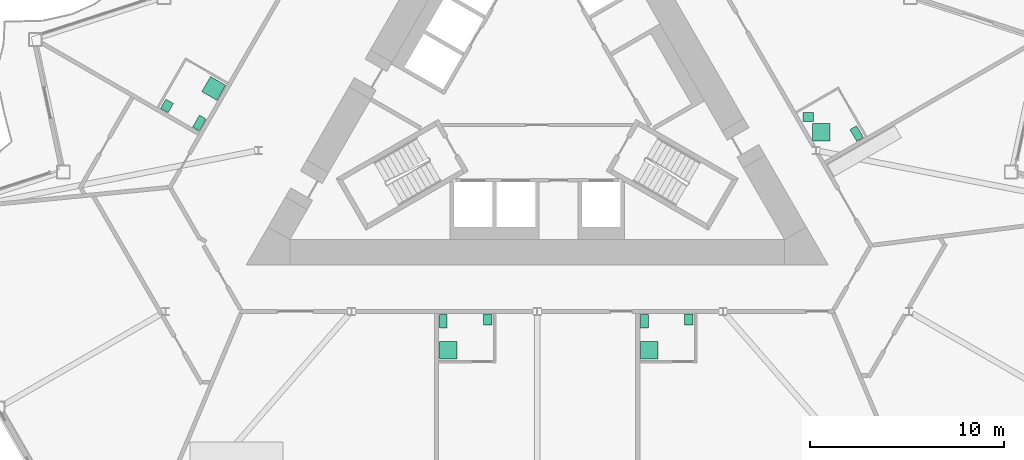
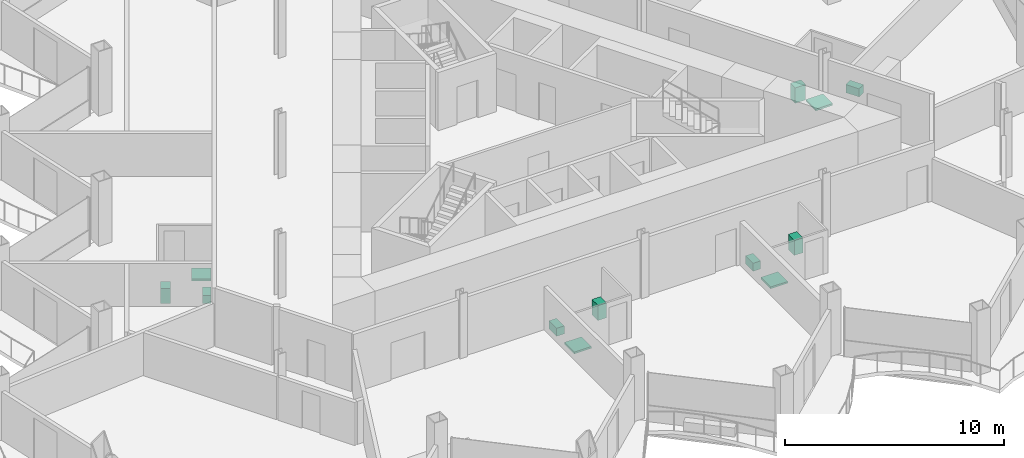
# One storey, part 22 of 23: 12 sanitary terminals.
"""IFC4 building model written with IfcOpenShell, lengths in metres."""

import ifcopenshell
import ifcopenshell.guid

model = None  # the IFC model being written
_history = None  # IfcOwnerHistory: only IFC2X3 demands one
_inside = {}  # id of a spatial element -> (the spatial element, [elements in it])
_under = {}  # id of a project, library or spatial element -> (it, [spatial elements below it])
_declared = {}  # id of a project -> (the project, [libraries it declares])
_typed = {}  # id of a type object -> (the type object, [elements of that type])
_made_of = {}  # id of a material, layer set ... -> (it, [elements and type objects made of it])


def new_model(schema):
    """Start an empty IFC model of exactly this schema.

    Asked for "IFC4X3", IfcOpenShell would pick the latest addendum, in which some entities
    have other attributes; the version numbers below select the first issue.
    IFC2X3 requires an IfcOwnerHistory on every rooted entity: one is made here for all.
    """
    global model, _history
    if schema == "IFC4X3":
        model = ifcopenshell.file(schema_version=(4, 3, 0, 0))
    else:
        model = ifcopenshell.file(schema=schema)
    _inside.clear()
    _under.clear()
    _declared.clear()
    _typed.clear()
    _made_of.clear()
    _history = None
    if model.schema == "IFC2X3":
        org = make("IfcOrganization", Name="unknown")
        user = make(
            "IfcPersonAndOrganization",
            ThePerson=make("IfcPerson", FamilyName="unknown"),
            TheOrganization=org,
        )
        app = make(
            "IfcApplication",
            ApplicationDeveloper=org,
            Version="unknown",
            ApplicationFullName="unknown",
            ApplicationIdentifier="unknown",
        )
        _history = make(
            "IfcOwnerHistory",
            OwningUser=user,
            OwningApplication=app,
            ChangeAction="ADDED",
            CreationDate=0,
        )
    return model


def make(cls, **values):
    """One entity of the class cls with the attributes given. An attribute that is None is left unset."""
    return model.create_entity(
        cls, **{name: value for name, value in values.items() if value is not None}
    )


def rooted(cls, **values):
    """An entity with a GlobalId (a new one), such as an element, a storey or a relation."""
    return make(cls, GlobalId=ifcopenshell.guid.new(), OwnerHistory=_history, **values)


def si_unit(unit_type, name, prefix=None):
    """IfcSIUnit, for example si_unit("LENGTHUNIT", "METRE", prefix="MILLI")."""
    return make("IfcSIUnit", UnitType=unit_type, Prefix=prefix, Name=name)


def assignment(units):
    """IfcUnitAssignment: the units of a project."""
    return None if units is None else make("IfcUnitAssignment", Units=units)


def point(xyz):
    """IfcCartesianPoint."""
    return None if xyz is None else make("IfcCartesianPoint", Coordinates=xyz)


def direction(xyz):
    """IfcDirection."""
    return None if xyz is None else make("IfcDirection", DirectionRatios=xyz)


def frame(location, z_axis=None, x_axis=None):
    """IfcAxis2Placement3D, a coordinate frame: its origin and axes. An axis left out is left unset."""
    return make(
        "IfcAxis2Placement3D",
        Location=point(location),
        Axis=direction(z_axis),
        RefDirection=direction(x_axis),
    )


def frame_2d(location, x_axis=None):
    """IfcAxis2Placement2D, a coordinate frame in the plane: its origin and x axis."""
    return make(
        "IfcAxis2Placement2D", Location=point(location), RefDirection=direction(x_axis)
    )


def origin():
    """The frame at (0, 0, 0) with its axes left unset."""
    return frame((0.0, 0.0, 0.0))


def origin_2d():
    """The frame at (0, 0) in the plane with its x axis left unset."""
    return frame_2d((0.0, 0.0))


def place(relative_to, where):
    """IfcLocalPlacement: puts the frame where relative to a parent placement (None: the world)."""
    return make(
        "IfcLocalPlacement", PlacementRelTo=relative_to, RelativePlacement=where
    )


def context(
    kind, dimensions, precision=None, world=None, true_north=None, identifier=None
):
    """IfcGeometricRepresentationContext, for example the 3D "Model" context."""
    return make(
        "IfcGeometricRepresentationContext",
        ContextIdentifier=identifier,
        ContextType=kind,
        CoordinateSpaceDimension=dimensions,
        Precision=precision,
        WorldCoordinateSystem=world,
        TrueNorth=true_north,
    )


def subcontext(parent, identifier, kind, view, scale=None):
    """IfcGeometricRepresentationSubContext, for example "Body" below "Model"."""
    return make(
        "IfcGeometricRepresentationSubContext",
        ContextIdentifier=identifier,
        ContextType=kind,
        ParentContext=parent,
        TargetScale=scale,
        TargetView=view,
    )


def project(units=None, contexts=None):
    """IfcProject with its units and contexts."""
    return rooted(
        "IfcProject",
        Name="project",
        RepresentationContexts=contexts,
        UnitsInContext=assignment(units),
    )


def spatial(cls, under=None, at=None, **own):
    """A site, building, storey or space (cls), placed at a placement, below another one or the project."""
    s = rooted(cls, ObjectPlacement=at, **own)
    if under is not None:
        _under.setdefault(under.id(), (under, []))[1].append(s)
    return s


def profile(cls, at=None, kind="AREA", **sizes):
    """A parametric profile (cls). Its sizes go by their IFC names, for example OverallWidth=200.0."""
    return make(cls, ProfileType=kind, Position=at, **sizes)


def rectangle(**sizes):
    """IfcRectangleProfileDef."""
    return profile("IfcRectangleProfileDef", **sizes)


def extrude(swept, where, along, depth):
    """IfcExtrudedAreaSolid: the profile swept, set in the frame where, extruded along a direction by depth."""
    return make(
        "IfcExtrudedAreaSolid",
        SweptArea=swept,
        Position=where,
        ExtrudedDirection=direction(along),
        Depth=depth,
    )


def shape(context_of_items, identifier, shape_type, items):
    """IfcShapeRepresentation: the items that make up one representation, for example the "Body"."""
    return make(
        "IfcShapeRepresentation",
        ContextOfItems=context_of_items,
        RepresentationIdentifier=identifier,
        RepresentationType=shape_type,
        Items=items,
    )


def material(Name=None, Category=None):
    """IfcMaterial."""
    return make("IfcMaterial", Name=Name, Category=Category)


def made_of(thing, what):
    """Note that an element or type object is made of a material, layer set ...; save() writes the relation."""
    if what is not None:
        _made_of.setdefault(what.id(), (what, []))[1].append(thing)
    return thing


def type_object(cls, material=None, **own):
    """A type object (cls), such as IfcWallType, which elements share."""
    return made_of(rooted(cls, **own), material)


def element(
    cls,
    number,
    at=None,
    inside=None,
    cuts=None,
    type_object=None,
    material=None,
    context=None,
    identifier="Body",
    shape_type=None,
    held_by="IfcProductDefinitionShape",
    body=None,
    shapes=None,
    **own,
):
    """One element of the class cls, such as IfcWall. Its Tag is "e" and its number.

    at: its placement. inside: the storey or other place that contains it. cuts: it is an
    opening in that element (IfcRelVoidsElement). A single representation is given by context,
    identifier, shape_type and body (its items); several are given by shapes. held_by: the class
    of the entity that holds the representations. save() writes the other relations.
    """
    e = rooted(cls, Tag="e%d" % number, ObjectPlacement=at, **own)
    if body is not None:
        shapes = [shape(context, identifier, shape_type, body)]
    if shapes is not None:
        e.Representation = make(held_by, Representations=shapes)
    if inside is not None:
        _inside.setdefault(inside.id(), (inside, []))[1].append(e)
    if cuts is not None:
        rooted(
            "IfcRelVoidsElement", RelatingBuildingElement=cuts, RelatedOpeningElement=e
        )
    if type_object is not None:
        _typed.setdefault(type_object.id(), (type_object, []))[1].append(e)
    return made_of(e, material)


def aggregate(whole, parts):
    """IfcRelAggregates: a whole, such as a stair, and the parts it consists of."""
    return rooted("IfcRelAggregates", RelatingObject=whole, RelatedObjects=parts)


def save(model, path):
    """Write the relations noted so far, then the file.

    IfcRelAggregates (storeys below a building ...), IfcRelContainedInSpatialStructure (elements
    in a storey), IfcRelDefinesByType, IfcRelAssociatesMaterial and IfcRelDeclares: one each for
    every whole, place, type object, material and project.
    """
    for whole, parts in _under.values():
        aggregate(whole, parts)
    for where, things in _inside.values():
        rooted(
            "IfcRelContainedInSpatialStructure",
            RelatedElements=things,
            RelatingStructure=where,
        )
    for kind, things in _typed.values():
        rooted("IfcRelDefinesByType", RelatedObjects=things, RelatingType=kind)
    for what, things in _made_of.values():
        rooted("IfcRelAssociatesMaterial", RelatedObjects=things, RelatingMaterial=what)
    for by, libraries in _declared.values():
        rooted("IfcRelDeclares", RelatingContext=by, RelatedDefinitions=libraries)
    model.write(path)


model = new_model("IFC4")

# Units and contexts
model_context = context("Model", 3, precision=1e-05, world=origin(), true_north=direction((0.0, 1.0)))
body_context = subcontext(model_context, "Body", "Model", "MODEL_VIEW")
ifc_project = project(units=[si_unit("LENGTHUNIT", "METRE"), si_unit("AREAUNIT", "SQUARE_METRE"), si_unit("VOLUMEUNIT", "CUBIC_METRE"), si_unit("PLANEANGLEUNIT", "RADIAN"), si_unit("MASSUNIT", "GRAM", prefix="KILO")], contexts=[model_context])

# Site, building, storey
site_placement = place(None, origin())
site = spatial("IfcSite", under=ifc_project, at=site_placement, CompositionType="ELEMENT")
building_placement = place(site_placement, origin())
building = spatial("IfcBuilding", under=site, at=building_placement, Name="Cormorant Prow Tower", CompositionType="ELEMENT")
storey_placement = place(building_placement, frame((0.0, 0.0, 267.0)))
storey = spatial("IfcBuildingStorey", under=building, at=storey_placement, Name="L60", CompositionType="ELEMENT", Elevation=267.0)

# Sanitary terminals
ifc_material_1 = material(Name="Vitreous china")
sanitary_terminal_type_1 = type_object("IfcSanitaryTerminalType", Name="Shower tray 900x900", PredefinedType="SHOWER", material=ifc_material_1)
for number, where, z_axis, x_axis, name in (
    (1, (-4.587646484375, -13.065185546875, 0.0), (0.0, 0.0, 1.0), (0.0, 1.0, 0.0), "Shower tray"),
    (2, (5.777587890625, -13.065185546875, 0.0), (0.0, 0.0, 1.0), (0.0, 1.0, 0.0), "Shower tray"),
    (3, (14.640869140625, -1.81689453125, 0.0), (0.0, 0.0, 1.0), (1.0, 0.0, 0.0), "Shower tray"),
    (4, (-16.672119140625, 0.433837890625, 0.0), (0.0, 0.0, 1.0), (-0.5, -0.866025403784, 0.0), "Shower tray"),
):
    element("IfcSanitaryTerminal", number, at=place(storey_placement, frame(where, z_axis=z_axis, x_axis=x_axis)), inside=storey, type_object=sanitary_terminal_type_1, Name=name, PredefinedType="SHOWER", context=body_context, shape_type="SweptSolid", body=[
        extrude(rectangle(XDim=0.89990234375, YDim=0.89990234375, at=origin_2d()), origin(), (0.0, 0.0, 1.0), 0.10009765625),
    ])
ifc_material_2 = material(Name="Vitreous china")
sanitary_terminal_type_2 = type_object("IfcSanitaryTerminalType", Name="Wash basin 550x450", PredefinedType="WASHHANDBASIN", material=ifc_material_2)
for number, where, z_axis, x_axis, name in (
    (5, (-2.552734375, -11.480224609375, 0.0), (0.0, 0.0, 1.0), (0.0, -1.0, 0.0), "Wash basin"),
    (6, (7.812744140625, -11.480224609375, 0.0), (0.0, 0.0, 1.0), (0.0, -1.0, 0.0), "Wash basin"),
    (7, (13.9658203125, -1.041748046875, 0.0), (0.0, 0.0, 1.0), (1.0, 0.0, 0.0), "Wash basin"),
    (8, (-19.080322265625, -0.4677734375, 0.0), (0.0, 0.0, 1.0), (0.5, 0.866025403784, 0.0), "Wash basin"),
):
    element("IfcSanitaryTerminal", number, at=place(storey_placement, frame(where, z_axis=z_axis, x_axis=x_axis)), inside=storey, type_object=sanitary_terminal_type_2, Name=name, PredefinedType="WASHHANDBASIN", context=body_context, shape_type="SweptSolid", body=[
        extrude(rectangle(XDim=0.550048828125, YDim=0.449951171875, at=origin_2d()), origin(), (0.0, 0.0, 1.0), 0.85009765625),
    ])
ifc_material_3 = material(Name="Vitreous china")
sanitary_terminal_type_3 = type_object("IfcSanitaryTerminalType", Name="Water closet 400x700", PredefinedType="WCSEAT", material=ifc_material_3)
for number, where, z_axis, x_axis, name in (
    (9, (-4.837646484375, -11.555419921875, 0.0), (0.0, 0.0, 1.0), (1.0, 0.0, 0.0), "Water closet"),
    (10, (5.527587890625, -11.555419921875, 0.0), (0.0, 0.0, 1.0), (1.0, 0.0, 0.0), "Water closet"),
    (11, (16.466552734375, -1.890380859375, 0.0), (0.0, 0.0, 1.0), (-0.866025403784, -0.5, 0.0), "Water closet"),
    (12, (-17.410400390625, -1.34521484375, 0.0), (0.0, 0.0, 1.0), (-0.866025403784, 0.5, 0.0), "Water closet"),
):
    element("IfcSanitaryTerminal", number, at=place(storey_placement, frame(where, z_axis=z_axis, x_axis=x_axis)), inside=storey, type_object=sanitary_terminal_type_3, Name=name, PredefinedType="WCSEAT", context=body_context, shape_type="SweptSolid", body=[
        extrude(rectangle(XDim=0.39990234375, YDim=0.699951171875, at=origin_2d()), origin(), (0.0, 0.0, 1.0), 0.449951171875),
    ])

save(model, "model.ifc")
